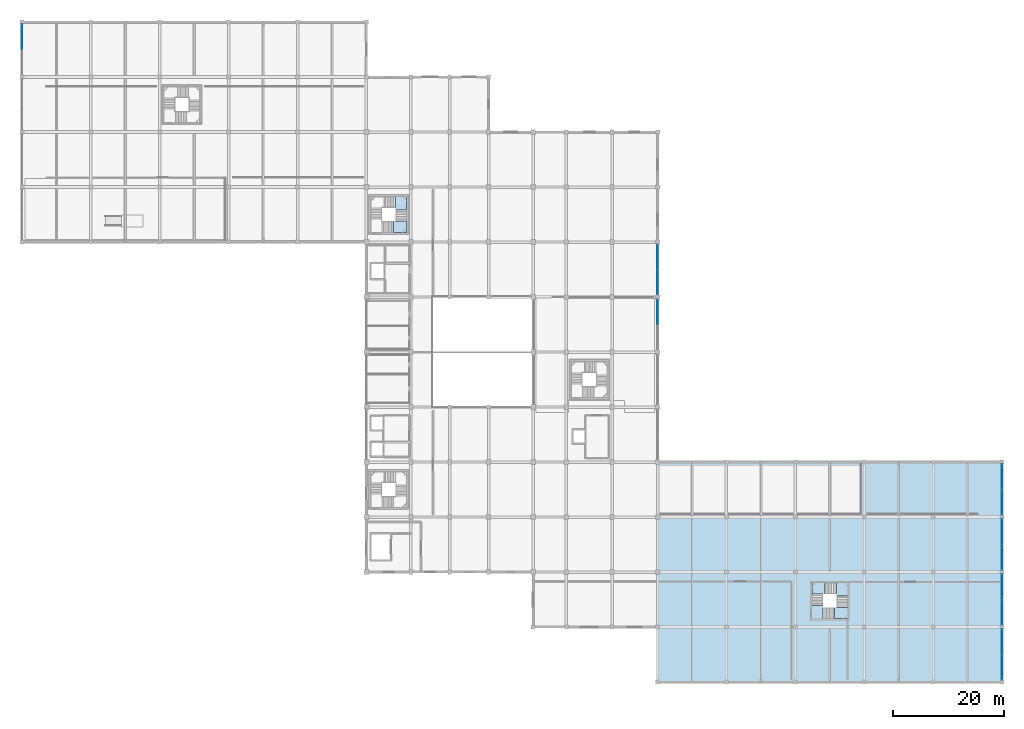
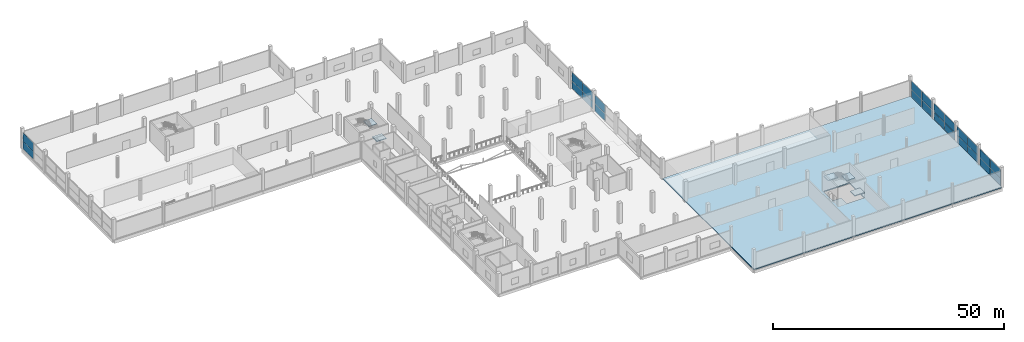
# One storey, part 42 of 74: 24 plates, 6 slabs, 9 elements without a shape of their own.
"""IFC4 building model written with IfcOpenShell, lengths in metres."""

import ifcopenshell
import ifcopenshell.guid

model = None  # the IFC model being written
_history = None  # IfcOwnerHistory: only IFC2X3 demands one
_inside = {}  # id of a spatial element -> (the spatial element, [elements in it])
_under = {}  # id of a project, library or spatial element -> (it, [spatial elements below it])
_declared = {}  # id of a project -> (the project, [libraries it declares])
_typed = {}  # id of a type object -> (the type object, [elements of that type])
_made_of = {}  # id of a material, layer set ... -> (it, [elements and type objects made of it])


def new_model(schema):
    """Start an empty IFC model of exactly this schema.

    Asked for "IFC4X3", IfcOpenShell would pick the latest addendum, in which some entities
    have other attributes; the version numbers below select the first issue.
    IFC2X3 requires an IfcOwnerHistory on every rooted entity: one is made here for all.
    """
    global model, _history
    if schema == "IFC4X3":
        model = ifcopenshell.file(schema_version=(4, 3, 0, 0))
    else:
        model = ifcopenshell.file(schema=schema)
    _inside.clear()
    _under.clear()
    _declared.clear()
    _typed.clear()
    _made_of.clear()
    _history = None
    if model.schema == "IFC2X3":
        org = make("IfcOrganization", Name="unknown")
        user = make(
            "IfcPersonAndOrganization",
            ThePerson=make("IfcPerson", FamilyName="unknown"),
            TheOrganization=org,
        )
        app = make(
            "IfcApplication",
            ApplicationDeveloper=org,
            Version="unknown",
            ApplicationFullName="unknown",
            ApplicationIdentifier="unknown",
        )
        _history = make(
            "IfcOwnerHistory",
            OwningUser=user,
            OwningApplication=app,
            ChangeAction="ADDED",
            CreationDate=0,
        )
    return model


def make(cls, **values):
    """One entity of the class cls with the attributes given. An attribute that is None is left unset."""
    return model.create_entity(
        cls, **{name: value for name, value in values.items() if value is not None}
    )


def rooted(cls, **values):
    """An entity with a GlobalId (a new one), such as an element, a storey or a relation."""
    return make(cls, GlobalId=ifcopenshell.guid.new(), OwnerHistory=_history, **values)


def si_unit(unit_type, name, prefix=None):
    """IfcSIUnit, for example si_unit("LENGTHUNIT", "METRE", prefix="MILLI")."""
    return make("IfcSIUnit", UnitType=unit_type, Prefix=prefix, Name=name)


def assignment(units):
    """IfcUnitAssignment: the units of a project."""
    return None if units is None else make("IfcUnitAssignment", Units=units)


def point(xyz):
    """IfcCartesianPoint."""
    return None if xyz is None else make("IfcCartesianPoint", Coordinates=xyz)


def direction(xyz):
    """IfcDirection."""
    return None if xyz is None else make("IfcDirection", DirectionRatios=xyz)


def frame(location, z_axis=None, x_axis=None):
    """IfcAxis2Placement3D, a coordinate frame: its origin and axes. An axis left out is left unset."""
    return make(
        "IfcAxis2Placement3D",
        Location=point(location),
        Axis=direction(z_axis),
        RefDirection=direction(x_axis),
    )


def frame_2d(location, x_axis=None):
    """IfcAxis2Placement2D, a coordinate frame in the plane: its origin and x axis."""
    return make(
        "IfcAxis2Placement2D", Location=point(location), RefDirection=direction(x_axis)
    )


def origin():
    """The frame at (0, 0, 0) with its axes left unset."""
    return frame((0.0, 0.0, 0.0))


def origin_2d():
    """The frame at (0, 0) in the plane with its x axis left unset."""
    return frame_2d((0.0, 0.0))


def place(relative_to, where):
    """IfcLocalPlacement: puts the frame where relative to a parent placement (None: the world)."""
    return make(
        "IfcLocalPlacement", PlacementRelTo=relative_to, RelativePlacement=where
    )


def context(
    kind, dimensions, precision=None, world=None, true_north=None, identifier=None
):
    """IfcGeometricRepresentationContext, for example the 3D "Model" context."""
    return make(
        "IfcGeometricRepresentationContext",
        ContextIdentifier=identifier,
        ContextType=kind,
        CoordinateSpaceDimension=dimensions,
        Precision=precision,
        WorldCoordinateSystem=world,
        TrueNorth=true_north,
    )


def subcontext(parent, identifier, kind, view, scale=None):
    """IfcGeometricRepresentationSubContext, for example "Body" below "Model"."""
    return make(
        "IfcGeometricRepresentationSubContext",
        ContextIdentifier=identifier,
        ContextType=kind,
        ParentContext=parent,
        TargetScale=scale,
        TargetView=view,
    )


def project(units=None, contexts=None):
    """IfcProject with its units and contexts."""
    return rooted(
        "IfcProject",
        Name="project",
        RepresentationContexts=contexts,
        UnitsInContext=assignment(units),
    )


def spatial(cls, under=None, at=None, **own):
    """A site, building, storey or space (cls), placed at a placement, below another one or the project."""
    s = rooted(cls, ObjectPlacement=at, **own)
    if under is not None:
        _under.setdefault(under.id(), (under, []))[1].append(s)
    return s


def polyline(points):
    """IfcPolyline through the points."""
    return make("IfcPolyline", Points=[point(p) for p in points])


def profile(cls, at=None, kind="AREA", **sizes):
    """A parametric profile (cls). Its sizes go by their IFC names, for example OverallWidth=200.0."""
    return make(cls, ProfileType=kind, Position=at, **sizes)


def rectangle(**sizes):
    """IfcRectangleProfileDef."""
    return profile("IfcRectangleProfileDef", **sizes)


def outline(outer, holes=None, kind="AREA"):
    """IfcArbitraryClosedProfileDef: a profile drawn as a closed curve; with holes, ...WithVoids."""
    if holes is None:
        return make("IfcArbitraryClosedProfileDef", ProfileType=kind, OuterCurve=outer)
    return make(
        "IfcArbitraryProfileDefWithVoids",
        ProfileType=kind,
        OuterCurve=outer,
        InnerCurves=holes,
    )


def extrude(swept, where, along, depth):
    """IfcExtrudedAreaSolid: the profile swept, set in the frame where, extruded along a direction by depth."""
    return make(
        "IfcExtrudedAreaSolid",
        SweptArea=swept,
        Position=where,
        ExtrudedDirection=direction(along),
        Depth=depth,
    )


def shape(context_of_items, identifier, shape_type, items):
    """IfcShapeRepresentation: the items that make up one representation, for example the "Body"."""
    return make(
        "IfcShapeRepresentation",
        ContextOfItems=context_of_items,
        RepresentationIdentifier=identifier,
        RepresentationType=shape_type,
        Items=items,
    )


def material(Name=None, Category=None):
    """IfcMaterial."""
    return make("IfcMaterial", Name=Name, Category=Category)


def layer(
    of_material, thickness, ventilated=None, Name=None, Category=None, Priority=None
):
    """IfcMaterialLayer: one layer of a wall or slab, of a material (None: an air gap)."""
    return make(
        "IfcMaterialLayer",
        Material=of_material,
        LayerThickness=thickness,
        IsVentilated=ventilated,
        Name=Name,
        Category=Category,
        Priority=Priority,
    )


def layer_set(layers, Name=None):
    """IfcMaterialLayerSet."""
    return make("IfcMaterialLayerSet", MaterialLayers=layers, LayerSetName=Name)


def made_of(thing, what):
    """Note that an element or type object is made of a material, layer set ...; save() writes the relation."""
    if what is not None:
        _made_of.setdefault(what.id(), (what, []))[1].append(thing)
    return thing


def type_object(cls, material=None, **own):
    """A type object (cls), such as IfcWallType, which elements share."""
    return made_of(rooted(cls, **own), material)


def element(
    cls,
    number,
    at=None,
    inside=None,
    cuts=None,
    type_object=None,
    material=None,
    context=None,
    identifier="Body",
    shape_type=None,
    held_by="IfcProductDefinitionShape",
    body=None,
    shapes=None,
    **own,
):
    """One element of the class cls, such as IfcWall. Its Tag is "e" and its number.

    at: its placement. inside: the storey or other place that contains it. cuts: it is an
    opening in that element (IfcRelVoidsElement). A single representation is given by context,
    identifier, shape_type and body (its items); several are given by shapes. held_by: the class
    of the entity that holds the representations. save() writes the other relations.
    """
    e = rooted(cls, Tag="e%d" % number, ObjectPlacement=at, **own)
    if body is not None:
        shapes = [shape(context, identifier, shape_type, body)]
    if shapes is not None:
        e.Representation = make(held_by, Representations=shapes)
    if inside is not None:
        _inside.setdefault(inside.id(), (inside, []))[1].append(e)
    if cuts is not None:
        rooted(
            "IfcRelVoidsElement", RelatingBuildingElement=cuts, RelatedOpeningElement=e
        )
    if type_object is not None:
        _typed.setdefault(type_object.id(), (type_object, []))[1].append(e)
    return made_of(e, material)


def aggregate(whole, parts):
    """IfcRelAggregates: a whole, such as a stair, and the parts it consists of."""
    return rooted("IfcRelAggregates", RelatingObject=whole, RelatedObjects=parts)


def save(model, path):
    """Write the relations noted so far, then the file.

    IfcRelAggregates (storeys below a building ...), IfcRelContainedInSpatialStructure (elements
    in a storey), IfcRelDefinesByType, IfcRelAssociatesMaterial and IfcRelDeclares: one each for
    every whole, place, type object, material and project.
    """
    for whole, parts in _under.values():
        aggregate(whole, parts)
    for where, things in _inside.values():
        rooted(
            "IfcRelContainedInSpatialStructure",
            RelatedElements=things,
            RelatingStructure=where,
        )
    for kind, things in _typed.values():
        rooted("IfcRelDefinesByType", RelatedObjects=things, RelatingType=kind)
    for what, things in _made_of.values():
        rooted("IfcRelAssociatesMaterial", RelatedObjects=things, RelatingMaterial=what)
    for by, libraries in _declared.values():
        rooted("IfcRelDeclares", RelatingContext=by, RelatedDefinitions=libraries)
    model.write(path)


model = new_model("IFC4")

# Units and contexts
model_context = context("Model", 3, precision=1e-05, world=origin(), true_north=direction((0.0, 1.0)))
body_context = subcontext(model_context, "Body", "Model", "MODEL_VIEW")
ifc_project = project(units=[si_unit("LENGTHUNIT", "METRE"), si_unit("AREAUNIT", "SQUARE_METRE"), si_unit("VOLUMEUNIT", "CUBIC_METRE"), si_unit("PLANEANGLEUNIT", "RADIAN"), si_unit("MASSUNIT", "GRAM", prefix="KILO")], contexts=[model_context])

# Site, building, storey
site_placement = place(None, origin())
site = spatial("IfcSite", under=ifc_project, at=site_placement, CompositionType="ELEMENT")
building_placement = place(site_placement, origin())
building = spatial("IfcBuilding", under=site, at=building_placement, Name="Sillaruma Civic Art Gallery", CompositionType="ELEMENT")
storey_placement = place(building_placement, frame((0.0, 0.0, 5.43994140625)))
storey = spatial("IfcBuildingStorey", under=building, at=storey_placement, Name="L01", CompositionType="ELEMENT", Elevation=5.43994140625)

# Curtain wall, plates
ifc_material_1 = material(Name="Thermally Broken Extruded Aluminium 6063-T6", Category="aluminium")
ifc_layer_1 = layer(ifc_material_1, 0.159912109375, Name="Thermally Broken Extruded Aluminium 6063-T6")
ifc_layer_set_1 = layer_set([ifc_layer_1], Name="Thermally Broken Extruded Aluminium 6063-T6")
curtain_wall_type_1 = type_object("IfcCurtainWallType", Name="CW-UNI-10", PredefinedType="NOTDEFINED", material=ifc_layer_set_1)
curtain_wall_1_placement = place(storey_placement, origin())
curtain_wall_1 = element("IfcCurtainWall", 1, at=curtain_wall_1_placement, inside=storey, type_object=curtain_wall_type_1, Name="Unitised Curtain Wall CW-10 (CW-L01-WSTR-4)", PredefinedType="NOTDEFINED")
ifc_material_2 = material(Name="Low-E UV-Filtered Laminated Insulating Glass", Category="glass")
ifc_layer_2 = layer(ifc_material_2, 0.030029296875, Name="Low-E UV-Filtered Laminated Insulating Glass")
ifc_layer_set_2 = layer_set([ifc_layer_2], Name="Low-E UV-Filtered Laminated Insulating Glass")
plate_type_1 = type_object("IfcPlateType", Name="PNL-GLZ-30", PredefinedType="CURTAIN_PANEL", material=ifc_layer_set_2)
plate_1_placement = place(storey_placement, frame((0.0, 116.1337890625, 0.06005859375), z_axis=(0.0, 0.0, 1.0), x_axis=(0.0, 1.0, 0.0)))
plate_1 = element("IfcPlate", 2, at=plate_1_placement, type_object=plate_type_1, Name="CW-10 panel 2.1", PredefinedType="CURTAIN_PANEL", context=body_context, shape_type="SweptSolid", body=[
    extrude(rectangle(XDim=4.50244140625, YDim=0.030029296875, at=origin_2d()), origin(), (0.0, 0.0, 1.0), 1.93408203125),
])
plate_2_placement = place(storey_placement, frame((0.0, 116.1337890625, 2.05419921875), z_axis=(0.0, 0.0, 1.0), x_axis=(0.0, 1.0, 0.0)))
plate_2 = element("IfcPlate", 3, at=plate_2_placement, type_object=plate_type_1, Name="CW-10 panel 2.2", PredefinedType="CURTAIN_PANEL", context=body_context, shape_type="SweptSolid", body=[
    extrude(rectangle(XDim=4.50244140625, YDim=0.030029296875, at=origin_2d()), origin(), (0.0, 0.0, 1.0), 2.285888671875),
])
aggregate(curtain_wall_1, [plate_1, plate_2])

curtain_wall_2_placement = place(storey_placement, origin())
curtain_wall_2 = element("IfcCurtainWall", 4, at=curtain_wall_2_placement, inside=storey, type_object=curtain_wall_type_1, Name="Unitised Curtain Wall CW-10 (CW-L01-ESTR-2)", PredefinedType="NOTDEFINED")
plate_3_placement = place(storey_placement, frame((176.39990234375, 12.566162109375, 0.06005859375), z_axis=(0.0, 0.0, 1.0), x_axis=(0.0, 1.0, 0.0)))
plate_3 = element("IfcPlate", 5, at=plate_3_placement, type_object=plate_type_1, Name="CW-10 panel 1.1", PredefinedType="CURTAIN_PANEL", context=body_context, shape_type="SweptSolid", body=[
    extrude(rectangle(XDim=4.50244140625, YDim=0.030029296875, at=origin_2d()), origin(), (0.0, 0.0, 1.0), 1.93408203125),
])
plate_4_placement = place(storey_placement, frame((176.39990234375, 12.566162109375, 2.05419921875), z_axis=(0.0, 0.0, 1.0), x_axis=(0.0, 1.0, 0.0)))
plate_4 = element("IfcPlate", 6, at=plate_4_placement, type_object=plate_type_1, Name="CW-10 panel 1.2", PredefinedType="CURTAIN_PANEL", context=body_context, shape_type="SweptSolid", body=[
    extrude(rectangle(XDim=4.50244140625, YDim=0.030029296875, at=origin_2d()), origin(), (0.0, 0.0, 1.0), 2.285888671875),
])
plate_5_placement = place(storey_placement, frame((176.39990234375, 17.1337890625, 0.06005859375), z_axis=(0.0, 0.0, 1.0), x_axis=(0.0, 1.0, 0.0)))
plate_5 = element("IfcPlate", 7, at=plate_5_placement, type_object=plate_type_1, Name="CW-10 panel 2.1", PredefinedType="CURTAIN_PANEL", context=body_context, shape_type="SweptSolid", body=[
    extrude(rectangle(XDim=4.50244140625, YDim=0.030029296875, at=origin_2d()), origin(), (0.0, 0.0, 1.0), 1.93408203125),
])
plate_6_placement = place(storey_placement, frame((176.39990234375, 17.1337890625, 2.05419921875), z_axis=(0.0, 0.0, 1.0), x_axis=(0.0, 1.0, 0.0)))
plate_6 = element("IfcPlate", 8, at=plate_6_placement, type_object=plate_type_1, Name="CW-10 panel 2.2", PredefinedType="CURTAIN_PANEL", context=body_context, shape_type="SweptSolid", body=[
    extrude(rectangle(XDim=4.50244140625, YDim=0.030029296875, at=origin_2d()), origin(), (0.0, 0.0, 1.0), 2.285888671875),
])
aggregate(curtain_wall_2, [plate_3, plate_4, plate_5, plate_6])

ifc_layer_3 = layer(ifc_material_1, 0.159912109375, Name="Thermally Broken Extruded Aluminium 6063-T6")
ifc_layer_set_3 = layer_set([ifc_layer_3], Name="Thermally Broken Extruded Aluminium 6063-T6")
curtain_wall_type_2 = type_object("IfcCurtainWallType", Name="CW-UNI-17", PredefinedType="NOTDEFINED", material=ifc_layer_set_3)
curtain_wall_3_placement = place(storey_placement, origin())
curtain_wall_3 = element("IfcCurtainWall", 9, at=curtain_wall_3_placement, inside=storey, type_object=curtain_wall_type_2, Name="Unitised Curtain Wall CW-17 (CW-L01-SPE-6)", PredefinedType="NOTDEFINED")
ifc_layer_4 = layer(ifc_material_2, 0.031982421875, Name="Low-E UV-Filtered Laminated Insulating Glass")
ifc_layer_set_4 = layer_set([ifc_layer_4], Name="Low-E UV-Filtered Laminated Insulating Glass")
plate_type_2 = type_object("IfcPlateType", Name="PNL-GLZ-32", PredefinedType="CURTAIN_PANEL", material=ifc_layer_set_4)
plate_7_placement = place(storey_placement, frame((114.39990234375, 71.9912109375, 0.06494140625), z_axis=(0.0, 0.0, 1.0), x_axis=(0.0, 1.0, 0.0)))
plate_7 = element("IfcPlate", 10, at=plate_7_placement, type_object=plate_type_2, Name="CW-17 panel 1.1", PredefinedType="CURTAIN_PANEL", context=body_context, shape_type="SweptSolid", body=[
    extrude(rectangle(XDim=4.452392578125, YDim=0.031982421875, at=origin_2d()), origin(), (0.0, 0.0, 1.0), 1.926513671875),
])
plate_8_placement = place(storey_placement, frame((114.39990234375, 71.9912109375, 2.056640625), z_axis=(0.0, 0.0, 1.0), x_axis=(0.0, 1.0, 0.0)))
plate_8 = element("IfcPlate", 11, at=plate_8_placement, type_object=plate_type_2, Name="CW-17 panel 1.2", PredefinedType="CURTAIN_PANEL", context=body_context, shape_type="SweptSolid", body=[
    extrude(rectangle(XDim=4.452392578125, YDim=0.031982421875, at=origin_2d()), origin(), (0.0, 0.0, 1.0), 2.278564453125),
])
plate_9_placement = place(storey_placement, frame((114.39990234375, 76.5087890625, 0.06494140625), z_axis=(0.0, 0.0, 1.0), x_axis=(0.0, 1.0, 0.0)))
plate_9 = element("IfcPlate", 12, at=plate_9_placement, type_object=plate_type_2, Name="CW-17 panel 2.1", PredefinedType="CURTAIN_PANEL", context=body_context, shape_type="SweptSolid", body=[
    extrude(rectangle(XDim=4.452392578125, YDim=0.031982421875, at=origin_2d()), origin(), (0.0, 0.0, 1.0), 1.926513671875),
])
plate_10_placement = place(storey_placement, frame((114.39990234375, 76.5087890625, 2.056640625), z_axis=(0.0, 0.0, 1.0), x_axis=(0.0, 1.0, 0.0)))
plate_10 = element("IfcPlate", 13, at=plate_10_placement, type_object=plate_type_2, Name="CW-17 panel 2.2", PredefinedType="CURTAIN_PANEL", context=body_context, shape_type="SweptSolid", body=[
    extrude(rectangle(XDim=4.452392578125, YDim=0.031982421875, at=origin_2d()), origin(), (0.0, 0.0, 1.0), 2.278564453125),
])
aggregate(curtain_wall_3, [plate_7, plate_8, plate_9, plate_10])

ifc_layer_5 = layer(ifc_material_1, 0.139892578125, Name="Thermally Broken Extruded Aluminium 6063-T6")
ifc_layer_set_5 = layer_set([ifc_layer_5], Name="Thermally Broken Extruded Aluminium 6063-T6")
curtain_wall_type_3 = type_object("IfcCurtainWallType", Name="CW-UNI-11", PredefinedType="NOTDEFINED", material=ifc_layer_set_5)
curtain_wall_4_placement = place(storey_placement, origin())
curtain_wall_4 = element("IfcCurtainWall", 14, at=curtain_wall_4_placement, inside=storey, type_object=curtain_wall_type_3, Name="Unitised Curtain Wall CW-11 (CW-L01-ESTR-3)", PredefinedType="NOTDEFINED")
ifc_layer_6 = layer(ifc_material_2, 0.033935546875, Name="Low-E UV-Filtered Laminated Insulating Glass")
ifc_layer_set_6 = layer_set([ifc_layer_6], Name="Low-E UV-Filtered Laminated Insulating Glass")
plate_type_3 = type_object("IfcPlateType", Name="PNL-GLZ-34", PredefinedType="CURTAIN_PANEL", material=ifc_layer_set_6)
plate_11_placement = place(storey_placement, frame((176.39990234375, 22.465087890625, 0.06494140625), z_axis=(0.0, 0.0, 1.0), x_axis=(0.0, 1.0, 0.0)))
plate_11 = element("IfcPlate", 15, at=plate_11_placement, type_object=plate_type_3, Name="CW-11 panel 1.1", PredefinedType="CURTAIN_PANEL", context=body_context, shape_type="SweptSolid", body=[
    extrude(rectangle(XDim=4.510009765625, YDim=0.033935546875, at=origin_2d()), origin(), (0.0, 0.0, 1.0), 1.926513671875),
])
plate_12_placement = place(storey_placement, frame((176.39990234375, 22.465087890625, 2.056640625), z_axis=(0.0, 0.0, 1.0), x_axis=(0.0, 1.0, 0.0)))
plate_12 = element("IfcPlate", 16, at=plate_12_placement, type_object=plate_type_3, Name="CW-11 panel 1.2", PredefinedType="CURTAIN_PANEL", context=body_context, shape_type="SweptSolid", body=[
    extrude(rectangle(XDim=4.510009765625, YDim=0.033935546875, at=origin_2d()), origin(), (0.0, 0.0, 1.0), 2.278564453125),
])
plate_13_placement = place(storey_placement, frame((176.39990234375, 27.034912109375, 0.06494140625), z_axis=(0.0, 0.0, 1.0), x_axis=(0.0, 1.0, 0.0)))
plate_13 = element("IfcPlate", 17, at=plate_13_placement, type_object=plate_type_3, Name="CW-11 panel 2.1", PredefinedType="CURTAIN_PANEL", context=body_context, shape_type="SweptSolid", body=[
    extrude(rectangle(XDim=4.510009765625, YDim=0.033935546875, at=origin_2d()), origin(), (0.0, 0.0, 1.0), 1.926513671875),
])
plate_14_placement = place(storey_placement, frame((176.39990234375, 27.034912109375, 2.056640625), z_axis=(0.0, 0.0, 1.0), x_axis=(0.0, 1.0, 0.0)))
plate_14 = element("IfcPlate", 18, at=plate_14_placement, type_object=plate_type_3, Name="CW-11 panel 2.2", PredefinedType="CURTAIN_PANEL", context=body_context, shape_type="SweptSolid", body=[
    extrude(rectangle(XDim=4.510009765625, YDim=0.033935546875, at=origin_2d()), origin(), (0.0, 0.0, 1.0), 2.278564453125),
])
aggregate(curtain_wall_4, [plate_11, plate_12, plate_13, plate_14])

ifc_layer_7 = layer(ifc_material_1, 0.179931640625, Name="Thermally Broken Extruded Aluminium 6063-T6")
ifc_layer_set_7 = layer_set([ifc_layer_7], Name="Thermally Broken Extruded Aluminium 6063-T6")
curtain_wall_type_4 = type_object("IfcCurtainWallType", Name="CW-UNI-12", PredefinedType="NOTDEFINED", material=ifc_layer_set_7)
curtain_wall_5_placement = place(storey_placement, origin())
curtain_wall_5 = element("IfcCurtainWall", 19, at=curtain_wall_5_placement, inside=storey, type_object=curtain_wall_type_4, Name="Unitised Curtain Wall CW-12 (CW-L01-ESTR-4)", PredefinedType="NOTDEFINED")
ifc_layer_8 = layer(ifc_material_2, 0.035888671875, Name="Low-E UV-Filtered Laminated Insulating Glass")
ifc_layer_set_8 = layer_set([ifc_layer_8], Name="Low-E UV-Filtered Laminated Insulating Glass")
plate_type_4 = type_object("IfcPlateType", Name="PNL-GLZ-36", PredefinedType="CURTAIN_PANEL", material=ifc_layer_set_8)
plate_15_placement = place(storey_placement, frame((176.39990234375, 32.367431640625, 0.070068359375), z_axis=(0.0, 0.0, 1.0), x_axis=(0.0, 1.0, 0.0)))
plate_15 = element("IfcPlate", 20, at=plate_15_placement, type_object=plate_type_4, Name="CW-12 panel 1.1", PredefinedType="CURTAIN_PANEL", context=body_context, shape_type="SweptSolid", body=[
    extrude(rectangle(XDim=4.4951171875, YDim=0.035888671875, at=origin_2d()), origin(), (0.0, 0.0, 1.0), 1.9189453125),
])
plate_16_placement = place(storey_placement, frame((176.39990234375, 32.367431640625, 2.05908203125), z_axis=(0.0, 0.0, 1.0), x_axis=(0.0, 1.0, 0.0)))
plate_16 = element("IfcPlate", 21, at=plate_16_placement, type_object=plate_type_4, Name="CW-12 panel 1.2", PredefinedType="CURTAIN_PANEL", context=body_context, shape_type="SweptSolid", body=[
    extrude(rectangle(XDim=4.4951171875, YDim=0.035888671875, at=origin_2d()), origin(), (0.0, 0.0, 1.0), 2.27099609375),
])
plate_17_placement = place(storey_placement, frame((176.39990234375, 36.9326171875, 0.070068359375), z_axis=(0.0, 0.0, 1.0), x_axis=(0.0, 1.0, 0.0)))
plate_17 = element("IfcPlate", 22, at=plate_17_placement, type_object=plate_type_4, Name="CW-12 panel 2.1", PredefinedType="CURTAIN_PANEL", context=body_context, shape_type="SweptSolid", body=[
    extrude(rectangle(XDim=4.4951171875, YDim=0.035888671875, at=origin_2d()), origin(), (0.0, 0.0, 1.0), 1.9189453125),
])
plate_18_placement = place(storey_placement, frame((176.39990234375, 36.9326171875, 2.05908203125), z_axis=(0.0, 0.0, 1.0), x_axis=(0.0, 1.0, 0.0)))
plate_18 = element("IfcPlate", 23, at=plate_18_placement, type_object=plate_type_4, Name="CW-12 panel 2.2", PredefinedType="CURTAIN_PANEL", context=body_context, shape_type="SweptSolid", body=[
    extrude(rectangle(XDim=4.4951171875, YDim=0.035888671875, at=origin_2d()), origin(), (0.0, 0.0, 1.0), 2.27099609375),
])
aggregate(curtain_wall_5, [plate_15, plate_16, plate_17, plate_18])

ifc_layer_9 = layer(ifc_material_1, 0.179931640625, Name="Thermally Broken Extruded Aluminium 6063-T6")
ifc_layer_set_9 = layer_set([ifc_layer_9], Name="Thermally Broken Extruded Aluminium 6063-T6")
curtain_wall_type_5 = type_object("IfcCurtainWallType", Name="CW-UNI-16", PredefinedType="NOTDEFINED", material=ifc_layer_set_9)
curtain_wall_6_placement = place(storey_placement, origin())
curtain_wall_6 = element("IfcCurtainWall", 24, at=curtain_wall_6_placement, inside=storey, type_object=curtain_wall_type_5, Name="Unitised Curtain Wall CW-16 (CW-L01-SPE-5)", PredefinedType="NOTDEFINED")
plate_19_placement = place(storey_placement, frame((114.39990234375, 66.607421875, 0.070068359375), z_axis=(0.0, 0.0, 1.0), x_axis=(0.0, 1.0, 0.0)))
plate_19 = element("IfcPlate", 25, at=plate_19_placement, type_object=plate_type_4, Name="CW-16 panel 2.1", PredefinedType="CURTAIN_PANEL", context=body_context, shape_type="SweptSolid", body=[
    extrude(rectangle(XDim=4.445068359375, YDim=0.035888671875, at=origin_2d()), origin(), (0.0, 0.0, 1.0), 1.9189453125),
])
plate_20_placement = place(storey_placement, frame((114.39990234375, 66.607421875, 2.05908203125), z_axis=(0.0, 0.0, 1.0), x_axis=(0.0, 1.0, 0.0)))
plate_20 = element("IfcPlate", 26, at=plate_20_placement, type_object=plate_type_4, Name="CW-16 panel 2.2", PredefinedType="CURTAIN_PANEL", context=body_context, shape_type="SweptSolid", body=[
    extrude(rectangle(XDim=4.445068359375, YDim=0.035888671875, at=origin_2d()), origin(), (0.0, 0.0, 1.0), 2.27099609375),
])
aggregate(curtain_wall_6, [plate_19, plate_20])

ifc_layer_10 = layer(ifc_material_1, 0.179931640625, Name="Thermally Broken Extruded Aluminium 6063-T6")
ifc_layer_set_10 = layer_set([ifc_layer_10], Name="Thermally Broken Extruded Aluminium 6063-T6")
curtain_wall_type_6 = type_object("IfcCurtainWallType", Name="CW-UNI-09", PredefinedType="NOTDEFINED", material=ifc_layer_set_10)
curtain_wall_7_placement = place(storey_placement, origin())
curtain_wall_7 = element("IfcCurtainWall", 27, at=curtain_wall_7_placement, inside=storey, type_object=curtain_wall_type_6, Name="Unitised Curtain Wall CW-09 (CW-L01-ESTR-1)", PredefinedType="NOTDEFINED")
ifc_layer_11 = layer(ifc_material_2, 0.0400390625, Name="Low-E UV-Filtered Laminated Insulating Glass")
ifc_layer_set_11 = layer_set([ifc_layer_11], Name="Low-E UV-Filtered Laminated Insulating Glass")
plate_type_5 = type_object("IfcPlateType", Name="PNL-GLZ-40", PredefinedType="CURTAIN_PANEL", material=ifc_layer_set_11)
plate_21_placement = place(storey_placement, frame((176.39990234375, 2.66748046875, 0.06494140625), z_axis=(0.0, 0.0, 1.0), x_axis=(0.0, 1.0, 0.0)))
plate_21 = element("IfcPlate", 28, at=plate_21_placement, type_object=plate_type_5, Name="CW-09 panel 1.1", PredefinedType="CURTAIN_PANEL", context=body_context, shape_type="SweptSolid", body=[
    extrude(rectangle(XDim=4.4951171875, YDim=0.0400390625, at=origin_2d()), origin(), (0.0, 0.0, 1.0), 1.926513671875),
])
plate_22_placement = place(storey_placement, frame((176.39990234375, 2.66748046875, 2.056640625), z_axis=(0.0, 0.0, 1.0), x_axis=(0.0, 1.0, 0.0)))
plate_22 = element("IfcPlate", 29, at=plate_22_placement, type_object=plate_type_5, Name="CW-09 panel 1.2", PredefinedType="CURTAIN_PANEL", context=body_context, shape_type="SweptSolid", body=[
    extrude(rectangle(XDim=4.4951171875, YDim=0.0400390625, at=origin_2d()), origin(), (0.0, 0.0, 1.0), 2.278564453125),
])
plate_23_placement = place(storey_placement, frame((176.39990234375, 7.232421875, 0.06494140625), z_axis=(0.0, 0.0, 1.0), x_axis=(0.0, 1.0, 0.0)))
plate_23 = element("IfcPlate", 30, at=plate_23_placement, type_object=plate_type_5, Name="CW-09 panel 2.1", PredefinedType="CURTAIN_PANEL", context=body_context, shape_type="SweptSolid", body=[
    extrude(rectangle(XDim=4.4951171875, YDim=0.0400390625, at=origin_2d()), origin(), (0.0, 0.0, 1.0), 1.926513671875),
])
plate_24_placement = place(storey_placement, frame((176.39990234375, 7.232421875, 2.056640625), z_axis=(0.0, 0.0, 1.0), x_axis=(0.0, 1.0, 0.0)))
plate_24 = element("IfcPlate", 31, at=plate_24_placement, type_object=plate_type_5, Name="CW-09 panel 2.2", PredefinedType="CURTAIN_PANEL", context=body_context, shape_type="SweptSolid", body=[
    extrude(rectangle(XDim=4.4951171875, YDim=0.0400390625, at=origin_2d()), origin(), (0.0, 0.0, 1.0), 2.278564453125),
])
aggregate(curtain_wall_7, [plate_21, plate_22, plate_23, plate_24])

# Slab
ifc_material_3 = material(Name="Concrete H35 (35 MPa)", Category="concrete")
ifc_layer_12 = layer(ifc_material_3, 0.260009765625, Name="Concrete H35 (35 MPa)")
ifc_layer_set_12 = layer_set([ifc_layer_12], Name="Concrete H35 (35 MPa)")
slab_type_1 = type_object("IfcSlabType", Name="SLB-FLR-260", PredefinedType="FLOOR", material=ifc_layer_set_12)
slab_1_placement = place(storey_placement, frame((0.0, 0.0, -0.260009765625)))
element("IfcSlab", 32, at=slab_1_placement, inside=storey, type_object=slab_type_1, Name="Floor Slab SF-260 (SLB-L01-EAST)", PredefinedType="FLOOR", context=body_context, shape_type="SweptSolid", body=[
    extrude(outline(polyline([(114.39990234375, 0.0), (176.39990234375, 0.0), (176.39990234375, 39.60009765625), (114.39990234375, 39.60009765625), (114.39990234375, 0.0)]), holes=[polyline([(144.215087890625, 11.39990234375), (148.639892578125, 11.39990234375), (148.639892578125, 17.8798828125), (142.159912109375, 17.8798828125), (142.159912109375, 13.824951171875), (144.215087890625, 13.824951171875), (144.215087890625, 11.39990234375)])]), origin(), (0.0, 0.0, 1.0), 0.260009765625),
])

# Stair, slabs
stair_type = type_object("IfcStairType", Name="STR-4F-32", PredefinedType="USERDEFINED", material=ifc_material_3)
stair_1_placement = place(storey_placement, origin())
stair_1 = element("IfcStair", 33, at=stair_1_placement, inside=storey, type_object=stair_type, Name="Protected Exit Stair ST-02 (West Bar North) (L01)", ObjectType="THREE_RETURN_STAIR", PredefinedType="USERDEFINED")
ifc_layer_13 = layer(ifc_material_3, 0.199951171875, Name="Concrete H35 (35 MPa)")
ifc_layer_set_13 = layer_set([ifc_layer_13], Name="Concrete H35 (35 MPa)")
slab_type_2 = type_object("IfcSlabType", Name="SLB-LND-200", PredefinedType="LANDING", material=ifc_layer_set_13)
slab_2_placement = place(storey_placement, frame((0.0, 0.0, 1.16015625)))
slab_2 = element("IfcSlab", 34, at=slab_2_placement, type_object=slab_type_2, Name="ST-02 landing 1", PredefinedType="LANDING", context=body_context, shape_type="SweptSolid", body=[
    extrude(outline(polyline([(66.830078125, 80.909912109375), (69.239990234375, 80.909912109375), (69.239990234375, 82.949951171875), (66.830078125, 82.949951171875), (66.830078125, 80.909912109375)])), origin(), (0.0, 0.0, 1.0), 0.199951171875),
])
slab_3_placement = place(storey_placement, frame((0.0, 0.0, 2.52001953125)))
slab_3 = element("IfcSlab", 35, at=slab_3_placement, type_object=slab_type_2, Name="ST-02 landing 2", PredefinedType="LANDING", context=body_context, shape_type="SweptSolid", body=[
    extrude(outline(polyline([(67.199951171875, 84.97998046875), (69.239990234375, 84.97998046875), (69.239990234375, 87.389892578125), (67.199951171875, 87.389892578125), (67.199951171875, 84.97998046875)])), origin(), (0.0, 0.0, 1.0), 0.199951171875),
])
aggregate(stair_1, [slab_2, slab_3])

stair_2_placement = place(storey_placement, origin())
stair_2 = element("IfcStair", 36, at=stair_2_placement, inside=storey, type_object=stair_type, Name="Protected Exit Stair ST-05 (East Wing) (L01)", ObjectType="THREE_RETURN_STAIR", PredefinedType="USERDEFINED")
slab_4_placement = place(storey_placement, frame((0.0, 0.0, 1.16015625)))
slab_4 = element("IfcSlab", 37, at=slab_4_placement, type_object=slab_type_2, Name="ST-05 landing 1", PredefinedType="LANDING", context=body_context, shape_type="SweptSolid", body=[
    extrude(outline(polyline([(146.22998046875, 11.39990234375), (148.639892578125, 11.39990234375), (148.639892578125, 13.43994140625), (146.22998046875, 13.43994140625), (146.22998046875, 11.39990234375)])), origin(), (0.0, 0.0, 1.0), 0.199951171875),
])
slab_5_placement = place(storey_placement, frame((0.0, 0.0, 2.52001953125)))
slab_5 = element("IfcSlab", 38, at=slab_5_placement, type_object=slab_type_2, Name="ST-05 landing 2", PredefinedType="LANDING", context=body_context, shape_type="SweptSolid", body=[
    extrude(outline(polyline([(146.60009765625, 15.469970703125), (148.639892578125, 15.469970703125), (148.639892578125, 17.8798828125), (146.60009765625, 17.8798828125), (146.60009765625, 15.469970703125)])), origin(), (0.0, 0.0, 1.0), 0.199951171875),
])
slab_6_placement = place(storey_placement, frame((0.0, 0.0, 3.880126953125)))
slab_6 = element("IfcSlab", 39, at=slab_6_placement, type_object=slab_type_2, Name="ST-05 landing 3", PredefinedType="LANDING", context=body_context, shape_type="SweptSolid", body=[
    extrude(outline(polyline([(142.159912109375, 15.840087890625), (144.570068359375, 15.840087890625), (144.570068359375, 17.8798828125), (142.159912109375, 17.8798828125), (142.159912109375, 15.840087890625)])), origin(), (0.0, 0.0, 1.0), 0.199951171875),
])
aggregate(stair_2, [slab_4, slab_5, slab_6])

save(model, "model.ifc")
